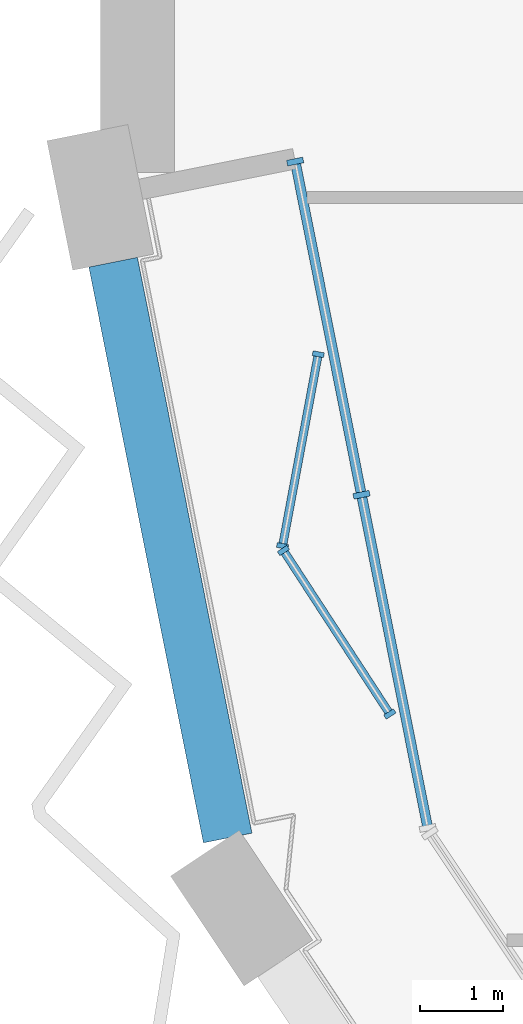
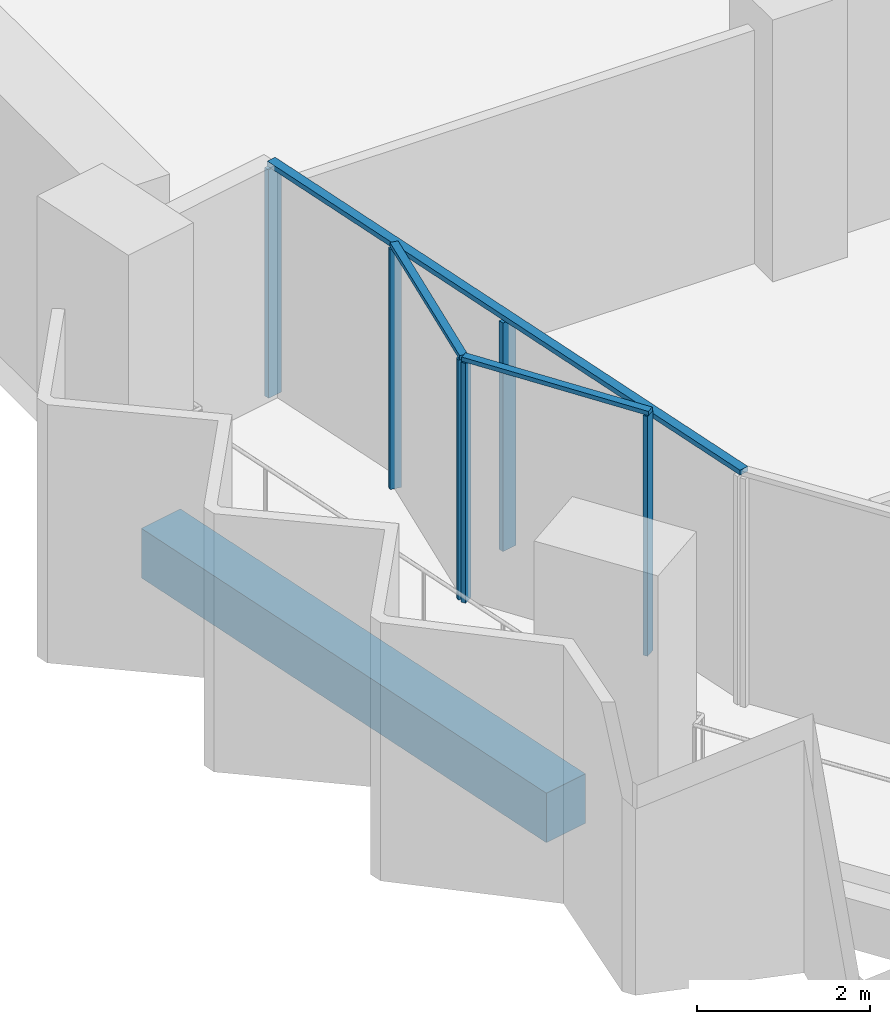
# One storey, part 3 of 17: 9 members, 1 beam, 3 elements without a shape of their own.
"""IFC4 building model written with IfcOpenShell, lengths in metres."""

from ifc_helpers import new_model, si_unit, direction, frame, origin, origin_2d, place, context, subcontext, project, spatial, rectangle, extrude, material, material_profile, profile_set, type_object, element, aggregate, save


model = new_model("IFC4")

# Units and contexts
model_context = context("Model", 3, precision=1e-05, world=origin(), true_north=direction((0.0, 1.0)))
body_context = subcontext(model_context, "Body", "Model", "MODEL_VIEW")
ifc_project = project(units=[si_unit("LENGTHUNIT", "METRE"), si_unit("AREAUNIT", "SQUARE_METRE"), si_unit("VOLUMEUNIT", "CUBIC_METRE"), si_unit("PLANEANGLEUNIT", "RADIAN"), si_unit("MASSUNIT", "GRAM", prefix="KILO")], contexts=[model_context])

# Site, building, storey
site_placement = place(None, origin())
site = spatial("IfcSite", under=ifc_project, at=site_placement, CompositionType="ELEMENT")
building_placement = place(site_placement, origin())
building = spatial("IfcBuilding", under=site, at=building_placement, Name="Hunhe Ridgeline Campus", CompositionType="ELEMENT")
storey_placement = place(building_placement, frame((0.0, 0.0, 265.10009765625)))
storey = spatial("IfcBuildingStorey", under=building, at=storey_placement, Name="L68", CompositionType="ELEMENT", Elevation=265.10009765625)

# Curtain wall, members
ifc_material_1 = material(Name="Aluminium 6063", Category="aluminium")
curtain_wall_type_1 = type_object("IfcCurtainWallType", Name="Curtain wall CW-2", PredefinedType="NOTDEFINED", material=ifc_material_1)
curtain_wall_1_placement = place(storey_placement, origin())
curtain_wall_1 = element("IfcCurtainWall", 1, at=curtain_wall_1_placement, inside=storey, type_object=curtain_wall_type_1, Name="Curtain wall B01a", PredefinedType="NOTDEFINED")
ifc_material_profile_1 = material_profile(ifc_material_1, rectangle(XDim=0.139892578125, YDim=0.06005859375, at=origin_2d()))
ifc_profile_set_1 = profile_set([ifc_material_profile_1], Name="Aluminium 6063")
member_type_1 = type_object("IfcMemberType", Name="CW-2 aluminium mullion", PredefinedType="MULLION", material=ifc_profile_set_1)
member_1_placement = place(storey_placement, frame((2.64111328125, 43.100341796875, 0.0), z_axis=(0.0, 0.0, 1.0), x_axis=(0.983091954213, -0.183112559813, 0.0)))
member_1 = element("IfcMember", 2, at=member_1_placement, type_object=member_type_1, Name="CW-2 mullion 1", PredefinedType="MULLION", context=body_context, shape_type="SweptSolid", body=[
    extrude(rectangle(XDim=0.139892578125, YDim=0.06005859375, at=origin_2d()), origin(), (0.0, 0.0, 1.0), 3.389892578125),
])
member_2_placement = place(storey_placement, frame((2.20849609375, 40.77685546875, 0.0), z_axis=(0.0, 0.0, 1.0), x_axis=(0.983091954213, -0.183112559813, 0.0)))
member_2 = element("IfcMember", 3, at=member_2_placement, type_object=member_type_1, Name="CW-2 mullion 2", PredefinedType="MULLION", context=body_context, shape_type="SweptSolid", body=[
    extrude(rectangle(XDim=0.139892578125, YDim=0.06005859375, at=origin_2d()), origin(), (0.0, 0.0, 1.0), 3.389892578125),
])

curtain_wall_2_placement = place(storey_placement, origin())
curtain_wall_2 = element("IfcCurtainWall", 4, at=curtain_wall_2_placement, inside=storey, type_object=curtain_wall_type_1, Name="Curtain wall B01b", PredefinedType="NOTDEFINED")
member_3_placement = place(storey_placement, frame((2.21923828125, 40.722412109375, 0.0), z_axis=(0.0, 0.0, 1.0), x_axis=(0.838178845176, 0.545395474403, 0.0)))
member_3 = element("IfcMember", 5, at=member_3_placement, type_object=member_type_1, Name="CW-2 mullion 1", PredefinedType="MULLION", context=body_context, shape_type="SweptSolid", body=[
    extrude(rectangle(XDim=0.139892578125, YDim=0.06005859375, at=origin_2d()), origin(), (0.0, 0.0, 1.0), 3.389892578125),
])
member_4_placement = place(storey_placement, frame((3.50830078125, 38.741455078125, 0.0), z_axis=(0.0, 0.0, 1.0), x_axis=(0.838178845176, 0.545395474403, 0.0)))
member_4 = element("IfcMember", 6, at=member_4_placement, type_object=member_type_1, Name="CW-2 mullion 2", PredefinedType="MULLION", context=body_context, shape_type="SweptSolid", body=[
    extrude(rectangle(XDim=0.139892578125, YDim=0.06005859375, at=origin_2d()), origin(), (0.0, 0.0, 1.0), 3.389892578125),
])

# Member
ifc_material_profile_2 = material_profile(ifc_material_1, rectangle(XDim=0.10009765625, YDim=0.06005859375, at=origin_2d()))
ifc_profile_set_2 = profile_set([ifc_material_profile_2], Name="Aluminium 6063")
member_type_2 = type_object("IfcMemberType", Name="CW-2 aluminium transom", PredefinedType="USERDEFINED", material=ifc_profile_set_2)
member_5_placement = place(storey_placement, frame((2.646728515625, 43.1298828125, 3.419921875), z_axis=(-0.183157011524, -0.983083673514, 0.0), x_axis=(0.983083673514, -0.183157011524, 0.0)))
member_5 = element("IfcMember", 7, at=member_5_placement, type_object=member_type_2, Name="CW-2 transom 1", ObjectType="TRANSOM", PredefinedType="USERDEFINED", context=body_context, shape_type="SweptSolid", body=[
    extrude(rectangle(XDim=0.10009765625, YDim=0.06005859375, at=origin_2d()), origin(), (0.0, 0.0, 1.0), 2.42333984375),
])

aggregate(curtain_wall_1, [member_5, member_1, member_2])

member_6_placement = place(storey_placement, frame((2.202880859375, 40.74755859375, 3.419921875), z_axis=(0.54541319982, -0.838167311139, 0.0), x_axis=(0.838167311139, 0.54541319982, 0.0)))
member_6 = element("IfcMember", 8, at=member_6_placement, type_object=member_type_2, Name="CW-2 transom 1", ObjectType="TRANSOM", PredefinedType="USERDEFINED", context=body_context, shape_type="SweptSolid", body=[
    extrude(rectangle(XDim=0.10009765625, YDim=0.06005859375, at=origin_2d()), origin(), (0.0, 0.0, 1.0), 2.42333984375),
])

aggregate(curtain_wall_2, [member_6, member_3, member_4])

# Curtain wall, members
curtain_wall_type_2 = type_object("IfcCurtainWallType", Name="Curtain wall CW-5", PredefinedType="NOTDEFINED", material=ifc_material_1)
curtain_wall_3_placement = place(storey_placement, origin())
curtain_wall_3 = element("IfcCurtainWall", 9, at=curtain_wall_3_placement, inside=storey, type_object=curtain_wall_type_2, Name="Curtain wall 01", PredefinedType="NOTDEFINED")
ifc_material_profile_3 = material_profile(ifc_material_1, rectangle(XDim=0.199951171875, YDim=0.070068359375, at=origin_2d()))
ifc_profile_set_3 = profile_set([ifc_material_profile_3], Name="Aluminium 6063")
member_type_3 = type_object("IfcMemberType", Name="CW-5 aluminium mullion", PredefinedType="MULLION", material=ifc_profile_set_3)
member_7_placement = place(storey_placement, frame((2.361572265625, 45.434326171875, 0.0), z_axis=(0.0, 0.0, 1.0), x_axis=(0.980784280831, 0.195095347137, 0.0)))
member_7 = element("IfcMember", 10, at=member_7_placement, type_object=member_type_3, Name="CW-5 mullion 1", PredefinedType="MULLION", context=body_context, shape_type="SweptSolid", body=[
    extrude(rectangle(XDim=0.199951171875, YDim=0.070068359375, at=origin_2d()), origin(), (0.0, 0.0, 1.0), 3.22998046875),
])
member_8_placement = place(storey_placement, frame((3.16455078125, 41.3974609375, 0.0), z_axis=(0.0, 0.0, 1.0), x_axis=(0.980784280831, 0.195095347137, 0.0)))
member_8 = element("IfcMember", 11, at=member_8_placement, type_object=member_type_3, Name="CW-5 mullion 2", PredefinedType="MULLION", context=body_context, shape_type="SweptSolid", body=[
    extrude(rectangle(XDim=0.199951171875, YDim=0.070068359375, at=origin_2d()), origin(), (0.0, 0.0, 1.0), 3.22998046875),
])
ifc_material_profile_4 = material_profile(ifc_material_1, rectangle(XDim=0.1201171875, YDim=0.070068359375, at=origin_2d()))
ifc_profile_set_4 = profile_set([ifc_material_profile_4], Name="Aluminium 6063")
member_type_4 = type_object("IfcMemberType", Name="CW-5 aluminium transom", PredefinedType="USERDEFINED", material=ifc_profile_set_4)
member_9_placement = place(storey_placement, frame((2.354736328125, 45.46875, 3.264892578125), z_axis=(0.195092405068, -0.980784866056, 0.0), x_axis=(0.980784866056, 0.195092405068, 0.0)))
member_9 = element("IfcMember", 12, at=member_9_placement, type_object=member_type_4, Name="CW-5 transom 1", ObjectType="TRANSOM", PredefinedType="USERDEFINED", context=body_context, shape_type="SweptSolid", body=[
    extrude(rectangle(XDim=0.1201171875, YDim=0.070068359375, at=origin_2d()), origin(), (0.0, 0.0, 1.0), 8.3017578125),
])
aggregate(curtain_wall_3, [member_9, member_7, member_8])

# Beam
ifc_material_2 = material(Name="Concrete C50", Category="concrete")
ifc_material_profile_5 = material_profile(ifc_material_2, rectangle(XDim=0.60009765625, YDim=0.699951171875, at=origin_2d()))
ifc_profile_set_5 = profile_set([ifc_material_profile_5], Name="Concrete C50")
beam_type = type_object("IfcBeamType", Name="RC spandrel beam 600x700 Concrete C50", PredefinedType="SPANDREL", material=ifc_profile_set_5)
beam_placement = place(storey_placement, frame((0.156005859375, 44.21533203125, -0.60009765625), z_axis=(0.195092933717, -0.9807847609, 0.0), x_axis=(0.9807847609, 0.195092933717, 0.0)))
element("IfcBeam", 13, at=beam_placement, inside=storey, type_object=beam_type, Name="Spandrel beam B4-1 L68", PredefinedType="SPANDREL", context=body_context, shape_type="SweptSolid", body=[
    extrude(rectangle(XDim=0.60009765625, YDim=0.699951171875, at=origin_2d()), origin(), (0.0, 0.0, 1.0), 7.113037109375),
])

save(model, "model.ifc")
